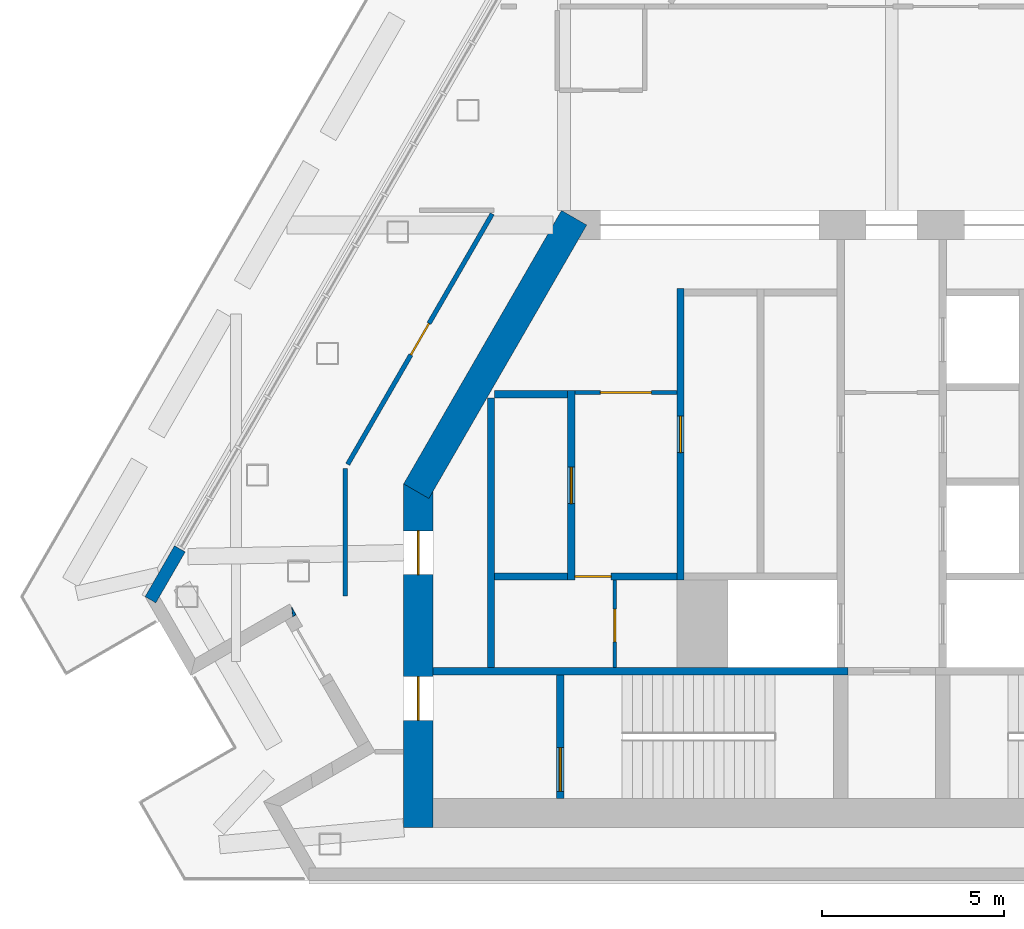
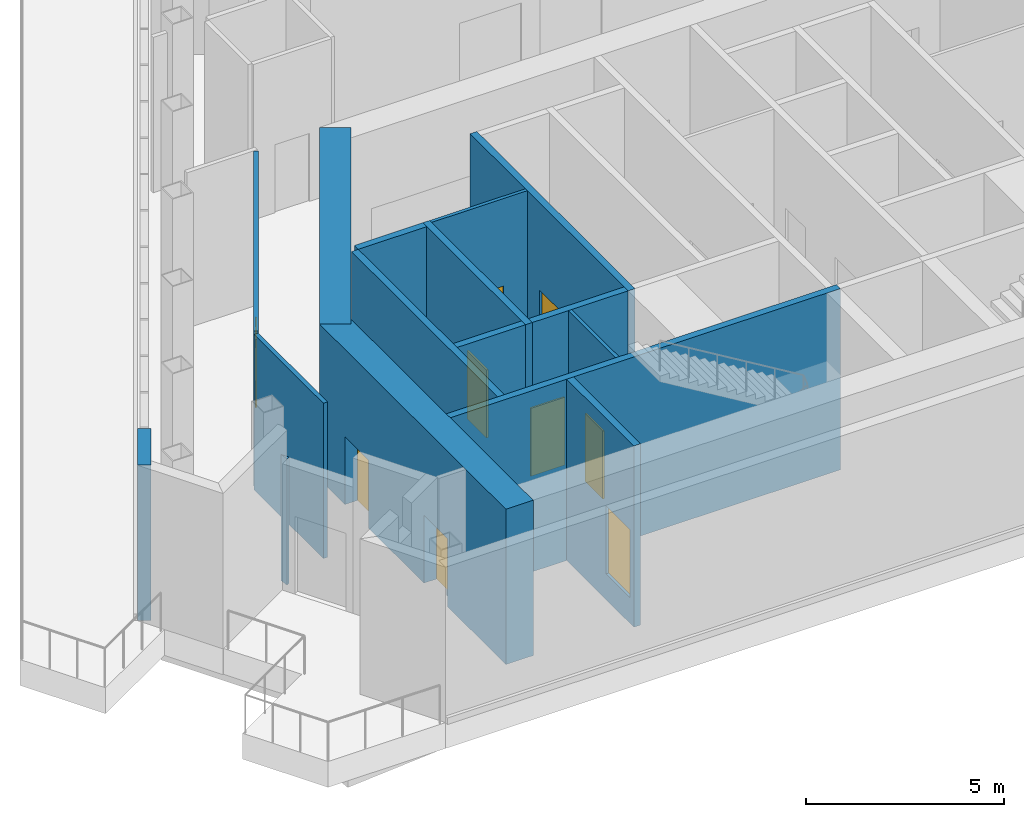
# One storey, part 10 of 15: 16 walls, 9 doors, 9 openings.
"""IFC4 building model written with IfcOpenShell, lengths in metres."""

import ifcopenshell
import ifcopenshell.guid

model = None  # the IFC model being written
_history = None  # IfcOwnerHistory: only IFC2X3 demands one
_inside = {}  # id of a spatial element -> (the spatial element, [elements in it])
_under = {}  # id of a project, library or spatial element -> (it, [spatial elements below it])
_declared = {}  # id of a project -> (the project, [libraries it declares])
_typed = {}  # id of a type object -> (the type object, [elements of that type])
_made_of = {}  # id of a material, layer set ... -> (it, [elements and type objects made of it])


def new_model(schema):
    """Start an empty IFC model of exactly this schema.

    Asked for "IFC4X3", IfcOpenShell would pick the latest addendum, in which some entities
    have other attributes; the version numbers below select the first issue.
    IFC2X3 requires an IfcOwnerHistory on every rooted entity: one is made here for all.
    """
    global model, _history
    if schema == "IFC4X3":
        model = ifcopenshell.file(schema_version=(4, 3, 0, 0))
    else:
        model = ifcopenshell.file(schema=schema)
    _inside.clear()
    _under.clear()
    _declared.clear()
    _typed.clear()
    _made_of.clear()
    _history = None
    if model.schema == "IFC2X3":
        org = make("IfcOrganization", Name="unknown")
        user = make(
            "IfcPersonAndOrganization",
            ThePerson=make("IfcPerson", FamilyName="unknown"),
            TheOrganization=org,
        )
        app = make(
            "IfcApplication",
            ApplicationDeveloper=org,
            Version="unknown",
            ApplicationFullName="unknown",
            ApplicationIdentifier="unknown",
        )
        _history = make(
            "IfcOwnerHistory",
            OwningUser=user,
            OwningApplication=app,
            ChangeAction="ADDED",
            CreationDate=0,
        )
    return model


def make(cls, **values):
    """One entity of the class cls with the attributes given. An attribute that is None is left unset."""
    return model.create_entity(
        cls, **{name: value for name, value in values.items() if value is not None}
    )


def rooted(cls, **values):
    """An entity with a GlobalId (a new one), such as an element, a storey or a relation."""
    return make(cls, GlobalId=ifcopenshell.guid.new(), OwnerHistory=_history, **values)


def si_unit(unit_type, name, prefix=None):
    """IfcSIUnit, for example si_unit("LENGTHUNIT", "METRE", prefix="MILLI")."""
    return make("IfcSIUnit", UnitType=unit_type, Prefix=prefix, Name=name)


def assignment(units):
    """IfcUnitAssignment: the units of a project."""
    return None if units is None else make("IfcUnitAssignment", Units=units)


def point(xyz):
    """IfcCartesianPoint."""
    return None if xyz is None else make("IfcCartesianPoint", Coordinates=xyz)


def direction(xyz):
    """IfcDirection."""
    return None if xyz is None else make("IfcDirection", DirectionRatios=xyz)


def frame(location, z_axis=None, x_axis=None):
    """IfcAxis2Placement3D, a coordinate frame: its origin and axes. An axis left out is left unset."""
    return make(
        "IfcAxis2Placement3D",
        Location=point(location),
        Axis=direction(z_axis),
        RefDirection=direction(x_axis),
    )


def frame_2d(location, x_axis=None):
    """IfcAxis2Placement2D, a coordinate frame in the plane: its origin and x axis."""
    return make(
        "IfcAxis2Placement2D", Location=point(location), RefDirection=direction(x_axis)
    )


def origin():
    """The frame at (0, 0, 0) with its axes left unset."""
    return frame((0.0, 0.0, 0.0))


def place(relative_to, where):
    """IfcLocalPlacement: puts the frame where relative to a parent placement (None: the world)."""
    return make(
        "IfcLocalPlacement", PlacementRelTo=relative_to, RelativePlacement=where
    )


def context(
    kind, dimensions, precision=None, world=None, true_north=None, identifier=None
):
    """IfcGeometricRepresentationContext, for example the 3D "Model" context."""
    return make(
        "IfcGeometricRepresentationContext",
        ContextIdentifier=identifier,
        ContextType=kind,
        CoordinateSpaceDimension=dimensions,
        Precision=precision,
        WorldCoordinateSystem=world,
        TrueNorth=true_north,
    )


def subcontext(parent, identifier, kind, view, scale=None):
    """IfcGeometricRepresentationSubContext, for example "Body" below "Model"."""
    return make(
        "IfcGeometricRepresentationSubContext",
        ContextIdentifier=identifier,
        ContextType=kind,
        ParentContext=parent,
        TargetScale=scale,
        TargetView=view,
    )


def project(units=None, contexts=None):
    """IfcProject with its units and contexts."""
    return rooted(
        "IfcProject",
        Name="project",
        RepresentationContexts=contexts,
        UnitsInContext=assignment(units),
    )


def spatial(cls, under=None, at=None, **own):
    """A site, building, storey or space (cls), placed at a placement, below another one or the project."""
    s = rooted(cls, ObjectPlacement=at, **own)
    if under is not None:
        _under.setdefault(under.id(), (under, []))[1].append(s)
    return s


def polyline(points):
    """IfcPolyline through the points."""
    return make("IfcPolyline", Points=[point(p) for p in points])


def profile(cls, at=None, kind="AREA", **sizes):
    """A parametric profile (cls). Its sizes go by their IFC names, for example OverallWidth=200.0."""
    return make(cls, ProfileType=kind, Position=at, **sizes)


def rectangle(**sizes):
    """IfcRectangleProfileDef."""
    return profile("IfcRectangleProfileDef", **sizes)


def outline(outer, holes=None, kind="AREA"):
    """IfcArbitraryClosedProfileDef: a profile drawn as a closed curve; with holes, ...WithVoids."""
    if holes is None:
        return make("IfcArbitraryClosedProfileDef", ProfileType=kind, OuterCurve=outer)
    return make(
        "IfcArbitraryProfileDefWithVoids",
        ProfileType=kind,
        OuterCurve=outer,
        InnerCurves=holes,
    )


def extrude(swept, where, along, depth):
    """IfcExtrudedAreaSolid: the profile swept, set in the frame where, extruded along a direction by depth."""
    return make(
        "IfcExtrudedAreaSolid",
        SweptArea=swept,
        Position=where,
        ExtrudedDirection=direction(along),
        Depth=depth,
    )


def shape(context_of_items, identifier, shape_type, items):
    """IfcShapeRepresentation: the items that make up one representation, for example the "Body"."""
    return make(
        "IfcShapeRepresentation",
        ContextOfItems=context_of_items,
        RepresentationIdentifier=identifier,
        RepresentationType=shape_type,
        Items=items,
    )


def material(Name=None, Category=None):
    """IfcMaterial."""
    return make("IfcMaterial", Name=Name, Category=Category)


def layer(
    of_material, thickness, ventilated=None, Name=None, Category=None, Priority=None
):
    """IfcMaterialLayer: one layer of a wall or slab, of a material (None: an air gap)."""
    return make(
        "IfcMaterialLayer",
        Material=of_material,
        LayerThickness=thickness,
        IsVentilated=ventilated,
        Name=Name,
        Category=Category,
        Priority=Priority,
    )


def layer_set(layers, Name=None):
    """IfcMaterialLayerSet."""
    return make("IfcMaterialLayerSet", MaterialLayers=layers, LayerSetName=Name)


def made_of(thing, what):
    """Note that an element or type object is made of a material, layer set ...; save() writes the relation."""
    if what is not None:
        _made_of.setdefault(what.id(), (what, []))[1].append(thing)
    return thing


def type_object(cls, material=None, **own):
    """A type object (cls), such as IfcWallType, which elements share."""
    return made_of(rooted(cls, **own), material)


def element(
    cls,
    number,
    at=None,
    inside=None,
    cuts=None,
    type_object=None,
    material=None,
    context=None,
    identifier="Body",
    shape_type=None,
    held_by="IfcProductDefinitionShape",
    body=None,
    shapes=None,
    **own,
):
    """One element of the class cls, such as IfcWall. Its Tag is "e" and its number.

    at: its placement. inside: the storey or other place that contains it. cuts: it is an
    opening in that element (IfcRelVoidsElement). A single representation is given by context,
    identifier, shape_type and body (its items); several are given by shapes. held_by: the class
    of the entity that holds the representations. save() writes the other relations.
    """
    e = rooted(cls, Tag="e%d" % number, ObjectPlacement=at, **own)
    if body is not None:
        shapes = [shape(context, identifier, shape_type, body)]
    if shapes is not None:
        e.Representation = make(held_by, Representations=shapes)
    if inside is not None:
        _inside.setdefault(inside.id(), (inside, []))[1].append(e)
    if cuts is not None:
        rooted(
            "IfcRelVoidsElement", RelatingBuildingElement=cuts, RelatedOpeningElement=e
        )
    if type_object is not None:
        _typed.setdefault(type_object.id(), (type_object, []))[1].append(e)
    return made_of(e, material)


def fill(opening, filler):
    """IfcRelFillsElement: the door or window that sits in an opening."""
    return rooted(
        "IfcRelFillsElement",
        RelatingOpeningElement=opening,
        RelatedBuildingElement=filler,
    )


def aggregate(whole, parts):
    """IfcRelAggregates: a whole, such as a stair, and the parts it consists of."""
    return rooted("IfcRelAggregates", RelatingObject=whole, RelatedObjects=parts)


def save(model, path):
    """Write the relations noted so far, then the file.

    IfcRelAggregates (storeys below a building ...), IfcRelContainedInSpatialStructure (elements
    in a storey), IfcRelDefinesByType, IfcRelAssociatesMaterial and IfcRelDeclares: one each for
    every whole, place, type object, material and project.
    """
    for whole, parts in _under.values():
        aggregate(whole, parts)
    for where, things in _inside.values():
        rooted(
            "IfcRelContainedInSpatialStructure",
            RelatedElements=things,
            RelatingStructure=where,
        )
    for kind, things in _typed.values():
        rooted("IfcRelDefinesByType", RelatedObjects=things, RelatingType=kind)
    for what, things in _made_of.values():
        rooted("IfcRelAssociatesMaterial", RelatedObjects=things, RelatingMaterial=what)
    for by, libraries in _declared.values():
        rooted("IfcRelDeclares", RelatingContext=by, RelatedDefinitions=libraries)
    model.write(path)


model = new_model("IFC4")

# Units and contexts
model_context = context("Model", 3, precision=1e-05, world=origin(), true_north=direction((0.0, 1.0)))
body_context = subcontext(model_context, "Body", "Model", "MODEL_VIEW")
ifc_project = project(units=[si_unit("LENGTHUNIT", "METRE"), si_unit("AREAUNIT", "SQUARE_METRE"), si_unit("VOLUMEUNIT", "CUBIC_METRE"), si_unit("PLANEANGLEUNIT", "RADIAN"), si_unit("MASSUNIT", "GRAM", prefix="KILO")], contexts=[model_context])

# Site, building, storey
site_placement = place(None, origin())
site = spatial("IfcSite", under=ifc_project, at=site_placement, CompositionType="ELEMENT")
building_placement = place(site_placement, origin())
building = spatial("IfcBuilding", under=site, at=building_placement, Name="Fogline Exchange Tower", CompositionType="ELEMENT")
storey_placement = place(building_placement, frame((0.0, 0.0, 344.699951171875)))
storey = spatial("IfcBuildingStorey", under=building, at=storey_placement, Name="L78", CompositionType="ELEMENT", Elevation=344.699951171875)

# Wall, opening, door
ifc_material_1 = material(Name="Blockwork partition", Category="masonry")
ifc_layer_1 = layer(ifc_material_1, 0.10009765625)
ifc_layer_set_1 = layer_set([ifc_layer_1], Name="CW10")
wall_type_1 = type_object("IfcWallType", Name="CW10", PredefinedType="PARTITIONING", material=ifc_layer_set_1)
wall_1_placement = place(storey_placement, frame((-8.699951171875, 13.39990234375, 0.0), z_axis=(0.0, 0.0, 1.0), x_axis=(1.0, 0.0, 0.0)))
wall_1 = element("IfcWall", 1, at=wall_1_placement, inside=storey, type_object=wall_type_1, Name="Lift lobby partition", PredefinedType="PARTITIONING", context=body_context, shape_type="SweptSolid", body=[
    extrude(rectangle(XDim=2.800048828125, YDim=0.10009765625, at=frame_2d((1.39990234375, 0.0))), origin(), (0.0, 0.0, 1.0), 4.800048828125),
])
opening_1_placement = place(wall_1_placement, frame((0.699951171875, 0.0, 0.0)))
opening_1 = element("IfcOpeningElement", 2, at=opening_1_placement, cuts=wall_1, Name="Opening T26-C007", PredefinedType="OPENING", context=body_context, shape_type="SweptSolid", body=[
    extrude(rectangle(XDim=1.39990234375, YDim=2.10009765625, at=frame_2d((0.699951171875, 1.050048828125))), frame((0.0, 0.06005859375, 0.0), z_axis=(0.0, -1.0, 0.0), x_axis=(1.0, 0.0, 0.0)), (0.0, 0.0, 1.0), 0.1201171875),
])
ifc_material_2 = material(Name="Steel and timber fire door", Category="steel")
door_type_1 = type_object("IfcDoorType", Name="D-LB1", OperationType="DOUBLE_DOOR_SINGLE_SWING", PredefinedType="DOOR", material=ifc_material_2)
door_1_placement = place(opening_1_placement, frame((1.39990234375, 0.0, 0.0), z_axis=(0.0, 0.0, 1.0), x_axis=(-1.0, 0.0, 0.0)))
door_1 = element("IfcDoor", 3, at=door_1_placement, inside=storey, type_object=door_type_1, Name="Door to lift lobby", OperationType="DOUBLE_DOOR_SINGLE_SWING", OverallHeight=2.10009765625, OverallWidth=1.39990234375, PredefinedType="DOOR", context=body_context, shape_type="SweptSolid", body=[
    extrude(rectangle(XDim=1.39990234375, YDim=2.10009765625, at=frame_2d((0.699951171875, 1.050048828125))), frame((0.0, 0.02490234375, 0.0), z_axis=(0.0, -1.0, 0.0), x_axis=(1.0, 0.0, 0.0)), (0.0, 0.0, 1.0), 0.050048828125),
])
fill(opening_1, door_1)

wall_2_placement = place(storey_placement, frame((-7.60009765625, 5.85009765625, 0.0), z_axis=(0.0, 0.0, 1.0), x_axis=(0.0, 1.0, 0.0)))
wall_2 = element("IfcWall", 4, at=wall_2_placement, inside=storey, type_object=wall_type_1, Name="WC partition", PredefinedType="PARTITIONING", context=body_context, shape_type="SweptSolid", body=[
    extrude(rectangle(XDim=2.39990234375, YDim=0.10009765625, at=frame_2d((1.199951171875, 0.0))), origin(), (0.0, 0.0, 1.0), 4.800048828125),
])
opening_2_placement = place(wall_2_placement, frame((0.699951171875, 0.0, 0.0)))
opening_2 = element("IfcOpeningElement", 5, at=opening_2_placement, cuts=wall_2, Name="Opening T26-C009", PredefinedType="OPENING", context=body_context, shape_type="SweptSolid", body=[
    extrude(rectangle(XDim=0.89990234375, YDim=2.10009765625, at=frame_2d((0.449951171875, 1.050048828125))), frame((0.0, 0.06005859375, 0.0), z_axis=(0.0, -1.0, 0.0), x_axis=(1.0, 0.0, 0.0)), (0.0, 0.0, 1.0), 0.1201171875),
])
door_type_2 = type_object("IfcDoorType", Name="D-CS1", OperationType="SINGLE_SWING_RIGHT", PredefinedType="DOOR", material=ifc_material_2)
door_2_placement = place(opening_2_placement, frame((0.89990234375, 0.0, 0.0), z_axis=(0.0, 0.0, 1.0), x_axis=(-1.0, 0.0, 0.0)))
door_2 = element("IfcDoor", 6, at=door_2_placement, inside=storey, type_object=door_type_2, Name="Door to Cleaner's Store", OperationType="SINGLE_SWING_RIGHT", OverallHeight=2.10009765625, OverallWidth=0.89990234375, PredefinedType="DOOR", context=body_context, shape_type="SweptSolid", body=[
    extrude(rectangle(XDim=0.89990234375, YDim=2.10009765625, at=frame_2d((0.449951171875, 1.050048828125))), frame((0.0, 0.02490234375, 0.0), z_axis=(0.0, -1.0, 0.0), x_axis=(1.0, 0.0, 0.0)), (0.0, 0.0, 1.0), 0.050048828125),
])
fill(opening_2, door_2)

# Wall
ifc_material_3 = material(Name="Concrete C40", Category="concrete")
ifc_layer_2 = layer(ifc_material_3, 0.199951171875)
ifc_layer_set_2 = layer_set([ifc_layer_2], Name="CW20")
wall_type_2 = type_object("IfcWallType", Name="CW20", PredefinedType="SOLIDWALL", material=ifc_layer_set_2)
wall_3_placement = place(storey_placement, frame((-11.0, 5.85009765625, 0.0), z_axis=(0.0, 0.0, 1.0), x_axis=(0.0, 1.0, 0.0)))
element("IfcWall", 7, at=wall_3_placement, inside=storey, type_object=wall_type_2, Name="Service room wall", PredefinedType="SOLIDWALL", context=body_context, shape_type="SweptSolid", body=[
    extrude(rectangle(XDim=7.39990234375, YDim=0.199951171875, at=frame_2d((3.699951171875, 0.0))), origin(), (0.0, 0.0, 1.0), 4.800048828125),
])

# Wall, opening, door
wall_4_placement = place(storey_placement, frame((-8.699951171875, 8.35009765625, 0.0), z_axis=(0.0, 0.0, 1.0), x_axis=(1.0, 0.0, 0.0)))
wall_4 = element("IfcWall", 8, at=wall_4_placement, inside=storey, type_object=wall_type_2, Name="WC wall", PredefinedType="SOLIDWALL", context=body_context, shape_type="SweptSolid", body=[
    extrude(rectangle(XDim=2.800048828125, YDim=0.199951171875, at=frame_2d((1.39990234375, 0.0))), origin(), (0.0, 0.0, 1.0), 4.800048828125),
])
opening_3_placement = place(wall_4_placement, origin())
opening_3 = element("IfcOpeningElement", 9, at=opening_3_placement, cuts=wall_4, Name="Opening T26-C008", PredefinedType="OPENING", context=body_context, shape_type="SweptSolid", body=[
    extrude(rectangle(XDim=1.0, YDim=2.10009765625, at=frame_2d((0.5, 1.050048828125))), frame((0.0, 0.10986328125, 0.0), z_axis=(0.0, -1.0, 0.0), x_axis=(1.0, 0.0, 0.0)), (0.0, 0.0, 1.0), 0.219970703125),
])
door_type_3 = type_object("IfcDoorType", Name="D-WC1", OperationType="SINGLE_SWING_LEFT", PredefinedType="DOOR", material=ifc_material_2)
door_3_placement = place(opening_3_placement, frame((1.0, 0.0, 0.0), z_axis=(0.0, 0.0, 1.0), x_axis=(-1.0, 0.0, 0.0)))
door_3 = element("IfcDoor", 10, at=door_3_placement, inside=storey, type_object=door_type_3, Name="Door to Men's WC", OperationType="SINGLE_SWING_LEFT", OverallHeight=2.10009765625, OverallWidth=1.0, PredefinedType="DOOR", context=body_context, shape_type="SweptSolid", body=[
    extrude(rectangle(XDim=1.0, YDim=2.10009765625, at=frame_2d((0.5, 1.050048828125))), frame((0.0, 0.02490234375, 0.0), z_axis=(0.0, -1.0, 0.0), x_axis=(1.0, 0.0, 0.0)), (0.0, 0.0, 1.0), 0.050048828125),
])
fill(opening_3, door_3)

# Wall
ifc_layer_3 = layer(ifc_material_3, 0.199951171875)
ifc_layer_set_3 = layer_set([ifc_layer_3], Name="CW20R")
wall_type_3 = type_object("IfcWallType", Name="CW20R", PredefinedType="SOLIDWALL", material=ifc_layer_set_3)
wall_5_placement = place(storey_placement, frame((-12.60009765625, 5.75, -0.800048828125), z_axis=(0.0, 0.0, 1.0), x_axis=(1.0, 0.0, 0.0)))
element("IfcWall", 11, at=wall_5_placement, inside=storey, type_object=wall_type_3, Name="Stair enclosure wall", PredefinedType="SOLIDWALL", context=body_context, shape_type="SweptSolid", body=[
    extrude(rectangle(XDim=11.400146484375, YDim=0.199951171875, at=frame_2d((5.7001953125, 0.0))), origin(), (0.0, 0.0, 1.0), 5.60009765625),
])

# Wall, opening, door
wall_6_placement = place(storey_placement, frame((-9.10009765625, 2.25, -0.800048828125), z_axis=(0.0, 0.0, 1.0), x_axis=(0.0, 1.0, 0.0)))
wall_6 = element("IfcWall", 12, at=wall_6_placement, inside=storey, type_object=wall_type_3, Name="Stair enclosure wall", PredefinedType="SOLIDWALL", context=body_context, shape_type="SweptSolid", body=[
    extrude(rectangle(XDim=3.39990234375, YDim=0.199951171875, at=frame_2d((1.699951171875, 0.0))), origin(), (0.0, 0.0, 1.0), 5.60009765625),
])
opening_4_placement = place(wall_6_placement, frame((0.199951171875, 0.0, 0.800048828125)))
opening_4 = element("IfcOpeningElement", 13, at=opening_4_placement, cuts=wall_6, Name="Opening T26-C011", PredefinedType="OPENING", context=body_context, shape_type="SweptSolid", body=[
    extrude(rectangle(XDim=1.199951171875, YDim=2.10009765625, at=frame_2d((0.60009765625, 1.050048828125))), frame((0.0, 0.10986328125, 0.0), z_axis=(0.0, -1.0, 0.0), x_axis=(1.0, 0.0, 0.0)), (0.0, 0.0, 1.0), 0.219970703125),
])
door_type_4 = type_object("IfcDoorType", Name="D-ST1", OperationType="SINGLE_SWING_LEFT", PredefinedType="DOOR", material=ifc_material_2)
door_4_placement = place(opening_4_placement, frame((1.199951171875, 0.0, 0.0), z_axis=(0.0, 0.0, 1.0), x_axis=(-1.0, 0.0, 0.0)))
door_4 = element("IfcDoor", 14, at=door_4_placement, inside=storey, type_object=door_type_4, Name="Stair door ST1", OperationType="SINGLE_SWING_RIGHT", OverallHeight=2.10009765625, OverallWidth=1.199951171875, PredefinedType="DOOR", context=body_context, shape_type="SweptSolid", body=[
    extrude(rectangle(XDim=1.199951171875, YDim=2.10009765625, at=frame_2d((0.60009765625, 1.050048828125))), frame((0.0, 0.02490234375, 0.0), z_axis=(0.0, -1.0, 0.0), x_axis=(1.0, 0.0, 0.0)), (0.0, 0.0, 1.0), 0.050048828125),
])
fill(opening_4, door_4)

ifc_layer_4 = layer(ifc_material_3, 0.199951171875)
ifc_layer_set_4 = layer_set([ifc_layer_4], Name="CW20S")
wall_type_4 = type_object("IfcWallType", Name="CW20S", PredefinedType="SOLIDWALL", material=ifc_layer_set_4)
wall_7_placement = place(storey_placement, frame((-8.800048828125, 8.25, -0.800048828125), z_axis=(0.0, 0.0, 1.0), x_axis=(0.0, 1.0, 0.0)))
wall_7 = element("IfcWall", 15, at=wall_7_placement, inside=storey, type_object=wall_type_4, Name="Lift shaft wall", PredefinedType="SOLIDWALL", context=body_context, shape_type="SweptSolid", body=[
    extrude(rectangle(XDim=5.199951171875, YDim=0.199951171875, at=frame_2d((2.60009765625, 0.0))), origin(), (0.0, 0.0, 1.0), 5.60009765625),
])
opening_5_placement = place(wall_7_placement, frame((2.10009765625, 0.0, 0.800048828125)))
opening_5 = element("IfcOpeningElement", 16, at=opening_5_placement, cuts=wall_7, Name="Opening T26-C001", PredefinedType="OPENING", context=body_context, shape_type="SweptSolid", body=[
    extrude(rectangle(XDim=1.0, YDim=2.10009765625, at=frame_2d((0.5, 1.050048828125))), frame((0.0, 0.10986328125, 0.0), z_axis=(0.0, -1.0, 0.0), x_axis=(1.0, 0.0, 0.0)), (0.0, 0.0, 1.0), 0.219970703125),
])
door_type_5 = type_object("IfcDoorType", Name="D-RM1", OperationType="SINGLE_SWING_LEFT", PredefinedType="DOOR", material=ifc_material_2)
door_5_placement = place(opening_5_placement, origin())
door_5 = element("IfcDoor", 17, at=door_5_placement, inside=storey, type_object=door_type_5, Name="Door to Records Room", OperationType="SINGLE_SWING_RIGHT", OverallHeight=2.10009765625, OverallWidth=1.0, PredefinedType="DOOR", context=body_context, shape_type="SweptSolid", body=[
    extrude(rectangle(XDim=1.0, YDim=2.10009765625, at=frame_2d((0.5, 1.050048828125))), frame((0.0, 0.02490234375, 0.0), z_axis=(0.0, -1.0, 0.0), x_axis=(1.0, 0.0, 0.0)), (0.0, 0.0, 1.0), 0.050048828125),
])
fill(opening_5, door_5)

wall_8_placement = place(storey_placement, frame((-5.800048828125, 8.25, -0.800048828125), z_axis=(0.0, 0.0, 1.0), x_axis=(0.0, 1.0, 0.0)))
wall_8 = element("IfcWall", 18, at=wall_8_placement, inside=storey, type_object=wall_type_4, Name="Lift shaft wall", PredefinedType="SOLIDWALL", context=body_context, shape_type="SweptSolid", body=[
    extrude(rectangle(XDim=8.0, YDim=0.199951171875, at=frame_2d((4.0, 0.0))), origin(), (0.0, 0.0, 1.0), 5.60009765625),
])
opening_6_placement = place(wall_8_placement, frame((3.5, 0.0, 0.800048828125)))
opening_6 = element("IfcOpeningElement", 19, at=opening_6_placement, cuts=wall_8, Name="Opening T26-C002", PredefinedType="OPENING", context=body_context, shape_type="SweptSolid", body=[
    extrude(rectangle(XDim=1.0, YDim=2.10009765625, at=frame_2d((0.5, 1.050048828125))), frame((0.0, 0.10986328125, 0.0), z_axis=(0.0, -1.0, 0.0), x_axis=(1.0, 0.0, 0.0)), (0.0, 0.0, 1.0), 0.219970703125),
])
door_6_placement = place(opening_6_placement, frame((1.0, 0.0, 0.0), z_axis=(0.0, 0.0, 1.0), x_axis=(-1.0, 0.0, 0.0)))
door_6 = element("IfcDoor", 20, at=door_6_placement, inside=storey, type_object=door_type_5, Name="Door to Service Hall", OperationType="SINGLE_SWING_RIGHT", OverallHeight=2.10009765625, OverallWidth=1.0, PredefinedType="DOOR", context=body_context, shape_type="SweptSolid", body=[
    extrude(rectangle(XDim=1.0, YDim=2.10009765625, at=frame_2d((0.5, 1.050048828125))), frame((0.0, 0.02490234375, 0.0), z_axis=(0.0, -1.0, 0.0), x_axis=(1.0, 0.0, 0.0)), (0.0, 0.0, 1.0), 0.050048828125),
])
fill(opening_6, door_6)

# Walls
for number, where, z_axis, x_axis, name in (
    (21, (-10.89990234375, 8.35009765625, -0.800048828125), (0.0, 0.0, 1.0), (1.0, 0.0, 0.0), "Lift shaft wall"),
    (22, (-10.89990234375, 13.35009765625, -0.800048828125), (0.0, 0.0, 1.0), (1.0, 0.0, 0.0), "Lift shaft wall"),
):
    element("IfcWall", number, at=place(storey_placement, frame(where, z_axis=z_axis, x_axis=x_axis)), inside=storey, type_object=wall_type_4, Name=name, PredefinedType="SOLIDWALL", context=body_context, shape_type="SweptSolid", body=[
        extrude(rectangle(XDim=2.0, YDim=0.199951171875, at=frame_2d((1.0, 0.0))), origin(), (0.0, 0.0, 1.0), 5.60009765625),
    ])
ifc_material_4 = material(Name="Brick masonry", Category="masonry")
ifc_layer_5 = layer(ifc_material_4, 0.340087890625)
ifc_layer_set_5 = layer_set([ifc_layer_5], Name="FW1")
wall_type_5 = type_object("IfcWallType", Name="FW1", PredefinedType="SOLIDWALL", material=ifc_layer_set_5)
wall_9_placement = place(storey_placement, origin())
element("IfcWall", 23, at=wall_9_placement, inside=storey, type_object=wall_type_5, Name="Brick wall L78 SW-s1", PredefinedType="SOLIDWALL", context=body_context, shape_type="SweptSolid", body=[
    extrude(outline(polyline([(-16.356689453125, 7.298828125), (-16.4443359375, 7.248291015625), (-16.473388671875, 7.5009765625), (-16.356689453125, 7.298828125)])), origin(), (0.0, 0.0, 1.0), 3.900146484375),
])
wall_10_placement = place(storey_placement, frame((-19.545166015625, 9.10791015625, 0.0), z_axis=(0.0, 0.0, 1.0), x_axis=(-0.500040847832, -0.866001818993, 0.0)))
element("IfcWall", 24, at=wall_10_placement, inside=storey, type_object=wall_type_5, Name="Brick wall L78 W bay 2", PredefinedType="SOLIDWALL", context=body_context, shape_type="SweptSolid", body=[
    extrude(rectangle(XDim=1.614990234375, YDim=0.340087890625, at=frame_2d((0.8076171875, 0.0))), origin(), (0.0, 0.0, 1.0), 4.800048828125),
])
ifc_material_5 = material(Name="Plasterboard corridor partition with mineral wool, 2 layers each side")
ifc_layer_6 = layer(ifc_material_5, 0.125)
ifc_layer_set_6 = layer_set([ifc_layer_6], Name="PW2")
wall_type_6 = type_object("IfcWallType", Name="PW2", PredefinedType="PARTITIONING", material=ifc_layer_set_6)
wall_11_placement = place(storey_placement, frame((-15.0, 7.80859375, 0.0), z_axis=(0.0, 0.0, 1.0), x_axis=(0.0, 1.0, 0.0)))
element("IfcWall", 25, at=wall_11_placement, inside=storey, type_object=wall_type_6, Name="wall-L78-W014", PredefinedType="PARTITIONING", context=body_context, shape_type="SweptSolid", body=[
    extrude(rectangle(XDim=3.511962890625, YDim=0.125, at=frame_2d((1.755859375, 0.0))), origin(), (0.0, 0.0, 1.0), 4.800048828125),
])

# Wall, opening, door
wall_12_placement = place(storey_placement, frame((-14.9375, 11.4287109375, 0.0), z_axis=(0.0, 0.0, 1.0), x_axis=(0.499991244068, 0.866030458965, 0.0)))
wall_12 = element("IfcWall", 26, at=wall_12_placement, inside=storey, type_object=wall_type_6, Name="wall-L78-W015", PredefinedType="PARTITIONING", context=body_context, shape_type="SweptSolid", body=[
    extrude(rectangle(XDim=7.941162109375, YDim=0.125, at=frame_2d((3.970703125, 0.0))), origin(), (0.0, 0.0, 1.0), 4.800048828125),
])
opening_7_placement = place(wall_12_placement, frame((3.470458984375, 0.0, 0.0)))
opening_7 = element("IfcOpeningElement", 27, at=opening_7_placement, cuts=wall_12, Name="Opening T26-D006", PredefinedType="OPENING", context=body_context, shape_type="SweptSolid", body=[
    extrude(rectangle(XDim=1.0, YDim=2.10009765625, at=frame_2d((0.5, 1.050048828125))), frame((0.0, 0.072509765625, 0.0), z_axis=(0.0, -1.0, 0.0), x_axis=(1.0, 0.0, 0.0)), (0.0, 0.0, 1.0), 0.14501953125),
])
ifc_material_6 = material(Name="Fire-rated timber door leaf with steel frame", Category="steel")
door_type_6 = type_object("IfcDoorType", Name="D3", OperationType="SINGLE_SWING_LEFT", PredefinedType="DOOR", material=ifc_material_6)
door_7_placement = place(opening_7_placement, origin())
door_7 = element("IfcDoor", 28, at=door_7_placement, inside=storey, type_object=door_type_6, Name="door-L78-D006", OperationType="SINGLE_SWING_LEFT", OverallHeight=2.10009765625, OverallWidth=1.0, PredefinedType="DOOR", context=body_context, shape_type="SweptSolid", body=[
    extrude(rectangle(XDim=1.0, YDim=2.10009765625, at=frame_2d((0.5, 1.050048828125))), frame((0.0, 0.02490234375, 0.0), z_axis=(0.0, -1.0, 0.0), x_axis=(1.0, 0.0, 0.0)), (0.0, 0.0, 1.0), 0.050048828125),
])
fill(opening_7, door_7)

# Wall
ifc_material_7 = material(Name="Concrete C50", Category="concrete")
ifc_layer_7 = layer(ifc_material_7, 0.800048828125)
ifc_layer_set_7 = layer_set([ifc_layer_7], Name="SW04")
wall_type_7 = type_object("IfcWallType", Name="SW04", PredefinedType="SHEAR", material=ifc_layer_set_7)
wall_13_placement = place(storey_placement, frame((-8.71875, 18.199951171875, 0.0), z_axis=(0.0, 0.0, 1.0), x_axis=(-0.500015780397, -0.866016292776, 0.0)))
element("IfcWall", 29, at=wall_13_placement, inside=storey, type_object=wall_type_7, Name="L78-W905", PredefinedType="SHEAR", context=body_context, shape_type="SweptSolid", body=[
    extrude(rectangle(XDim=8.669677734375, YDim=0.800048828125, at=frame_2d((4.3349609375, 0.0))), origin(), (0.0, 0.0, 1.0), 4.800048828125),
])

# Wall, openings, doors
wall_14_placement = place(storey_placement, frame((-13.0, 10.891845703125, 0.0), z_axis=(0.0, 0.0, 1.0), x_axis=(0.0, -1.0, 0.0)))
wall_14 = element("IfcWall", 30, at=wall_14_placement, inside=storey, type_object=wall_type_7, Name="L78-W906", PredefinedType="SHEAR", context=body_context, shape_type="SweptSolid", body=[
    extrude(rectangle(XDim=9.44189453125, YDim=0.800048828125, at=frame_2d((4.720947265625, 0.0))), origin(), (0.0, 0.0, 1.0), 4.800048828125),
])
opening_8_placement = place(wall_14_placement, frame((5.291748046875, 0.0, 0.0)))
opening_8 = element("IfcOpeningElement", 31, at=opening_8_placement, cuts=wall_14, Name="Opening T26-C010", PredefinedType="OPENING", context=body_context, shape_type="SweptSolid", body=[
    extrude(rectangle(XDim=1.199951171875, YDim=2.10009765625, at=frame_2d((0.60009765625, 1.050048828125))), frame((0.0, 0.41015625, 0.0), z_axis=(0.0, -1.0, 0.0), x_axis=(1.0, 0.0, 0.0)), (0.0, 0.0, 1.0), 0.820068359375),
])
opening_9_placement = place(wall_14_placement, frame((1.291748046875, 0.0, 0.0)))
opening_9 = element("IfcOpeningElement", 32, at=opening_9_placement, cuts=wall_14, Name="Opening T26-C012", PredefinedType="OPENING", context=body_context, shape_type="SweptSolid", body=[
    extrude(rectangle(XDim=1.199951171875, YDim=2.10009765625, at=frame_2d((0.60009765625, 1.050048828125))), frame((0.0, 0.41015625, 0.0), z_axis=(0.0, -1.0, 0.0), x_axis=(1.0, 0.0, 0.0)), (0.0, 0.0, 1.0), 0.820068359375),
])
door_type_7 = type_object("IfcDoorType", Name="D-FR1", OperationType="SINGLE_SWING_RIGHT", PredefinedType="DOOR", material=ifc_material_2)
door_8_placement = place(opening_8_placement, origin())
door_8 = element("IfcDoor", 33, at=door_8_placement, inside=storey, type_object=door_type_7, Name="Front room door ST1", OperationType="SINGLE_SWING_LEFT", OverallHeight=2.10009765625, OverallWidth=1.199951171875, PredefinedType="DOOR", context=body_context, shape_type="SweptSolid", body=[
    extrude(rectangle(XDim=1.199951171875, YDim=2.10009765625, at=frame_2d((0.60009765625, 1.050048828125))), frame((0.0, 0.02490234375, 0.0), z_axis=(0.0, -1.0, 0.0), x_axis=(1.0, 0.0, 0.0)), (0.0, 0.0, 1.0), 0.050048828125),
])
fill(opening_8, door_8)
door_type_8 = type_object("IfcDoorType", Name="D-SV1", OperationType="SINGLE_SWING_LEFT", PredefinedType="DOOR", material=ifc_material_2)
door_9_placement = place(opening_9_placement, origin())
door_9 = element("IfcDoor", 34, at=door_9_placement, inside=storey, type_object=door_type_8, Name="Service door W", OperationType="SINGLE_SWING_LEFT", OverallHeight=2.10009765625, OverallWidth=1.199951171875, PredefinedType="DOOR", context=body_context, shape_type="SweptSolid", body=[
    extrude(rectangle(XDim=1.199951171875, YDim=2.10009765625, at=frame_2d((0.60009765625, 1.050048828125))), frame((0.0, 0.02490234375, 0.0), z_axis=(0.0, -1.0, 0.0), x_axis=(1.0, 0.0, 0.0)), (0.0, 0.0, 1.0), 0.050048828125),
])
fill(opening_9, door_9)

save(model, "model.ifc")
